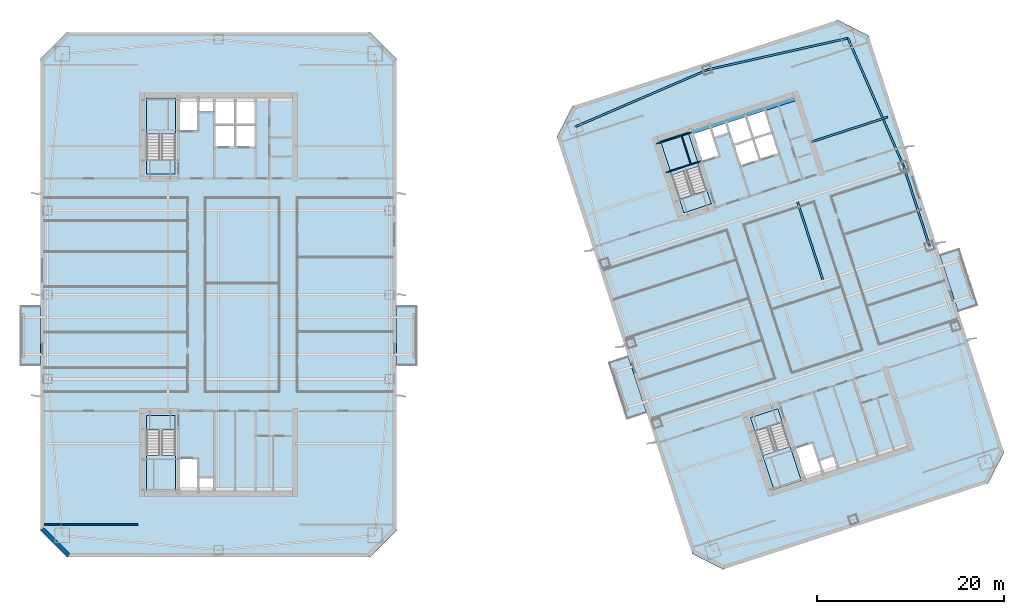
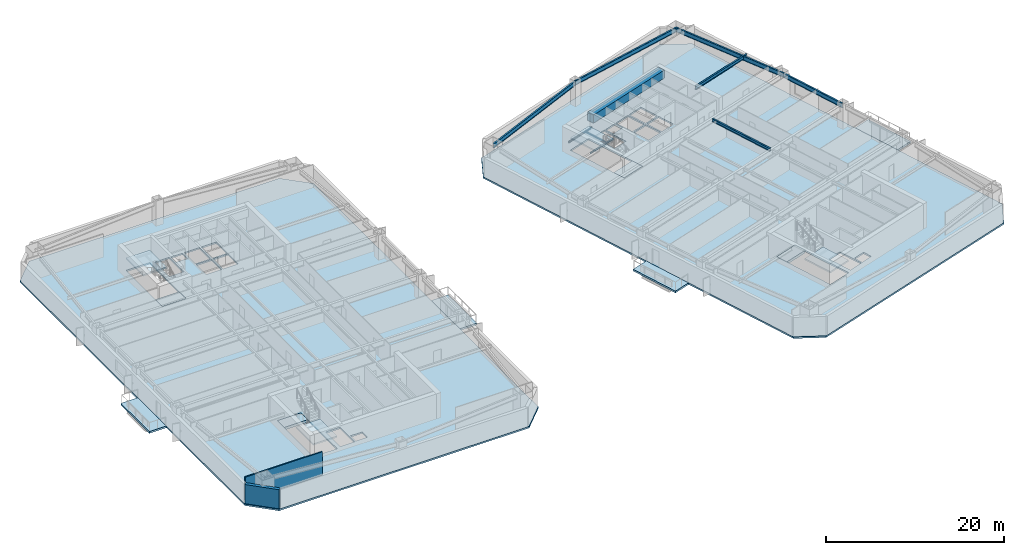
# One storey, part 3 of 16: 14 slabs, 10 beams, 2 walls, 4 elements without a shape of their own.
"""IFC4 building model written with IfcOpenShell, lengths in metres."""

from ifc_helpers import new_model, si_unit, direction, frame, frame_2d, origin, origin_2d, place, context, subcontext, project, spatial, polyline, rectangle, i_section, outline, extrude, material, layer, layer_set, material_profile, profile_set, type_object, element, aggregate, save


model = new_model("IFC4")

# Units and contexts
model_context = context("Model", 3, precision=1e-05, world=origin(), true_north=direction((0.0, 1.0)))
body_context = subcontext(model_context, "Body", "Model", "MODEL_VIEW")
ifc_project = project(units=[si_unit("LENGTHUNIT", "METRE"), si_unit("AREAUNIT", "SQUARE_METRE"), si_unit("VOLUMEUNIT", "CUBIC_METRE"), si_unit("PLANEANGLEUNIT", "RADIAN"), si_unit("MASSUNIT", "GRAM", prefix="KILO")], contexts=[model_context])

# Site, building, storey
site_placement = place(None, origin())
site = spatial("IfcSite", under=ifc_project, at=site_placement, CompositionType="ELEMENT")
building_placement = place(site_placement, origin())
building = spatial("IfcBuilding", under=site, at=building_placement, Name="Qiaolan Cultural Towers", CompositionType="ELEMENT")
storey_placement = place(building_placement, frame((0.0, 0.0, 110.39990234375)))
storey = spatial("IfcBuildingStorey", under=building, at=storey_placement, Name="L28", CompositionType="ELEMENT", Elevation=110.39990234375)

# Beams
ifc_material_1 = material(Name="Steel Q355B", Category="steel")
ifc_material_profile_1 = material_profile(ifc_material_1, i_section(OverallWidth=0.199951171875, OverallDepth=0.39990234375, WebThickness=0.008056640625, FlangeThickness=0.012939453125, at=origin_2d()), Name="HN400x200x8x13")
ifc_profile_set_1 = profile_set([ifc_material_profile_1], Name="Steel Q355B")
beam_type_1 = type_object("IfcBeamType", Name="BM-JST-HN400x200x8x13", PredefinedType="JOIST", material=ifc_profile_set_1)
beam_1_placement = place(storey_placement, frame((94.518798828125, 35.6259765625, 2.989990234375), z_axis=(-0.309020714809, 0.951055307445, 0.0), x_axis=(-0.951055307445, -0.309020714809, 0.0)))
element("IfcBeam", 1, at=beam_1_placement, inside=storey, type_object=beam_type_1, Name="L28 T2 Secondary Floor Joist U3-3", PredefinedType="JOIST", context=body_context, shape_type="SweptSolid", body=[
    extrude(i_section(OverallWidth=0.199951171875, OverallDepth=0.39990234375, WebThickness=0.008056640625, FlangeThickness=0.012939453125, at=origin_2d()), origin(), (0.0, 0.0, 1.0), 8.699951171875),
])
ifc_material_2 = material(Name="Steel Q355B", Category="steel")
ifc_material_profile_2 = material_profile(ifc_material_2, i_section(OverallWidth=0.199951171875, OverallDepth=0.449951171875, WebThickness=0.009033203125, FlangeThickness=0.013916015625, at=origin_2d()), Name="HN450x200x9x14")
ifc_profile_set_2 = profile_set([ifc_material_profile_2], Name="Steel Q355B")
beam_type_2 = type_object("IfcBeamType", Name="BM-LNT-HN450x200x9x14", PredefinedType="LINTEL", material=ifc_profile_set_2)
beam_2_placement = place(storey_placement, frame((93.31787109375, 50.32421875, 2.965087890625), z_axis=(0.951057358187, 0.309014403287, 0.0), x_axis=(-0.309014403287, 0.951057358187, 0.0)))
element("IfcBeam", 2, at=beam_2_placement, inside=storey, type_object=beam_type_2, Name="L28 T2 Core Flank Tie Lintel EN", PredefinedType="LINTEL", context=body_context, shape_type="SweptSolid", body=[
    extrude(i_section(OverallWidth=0.199951171875, OverallDepth=0.449951171875, WebThickness=0.009033203125, FlangeThickness=0.013916015625, at=origin_2d()), origin(), (0.0, 0.0, 1.0), 8.550048828125),
])
ifc_material_3 = material(Name="Concrete C50", Category="concrete")
ifc_material_profile_3 = material_profile(ifc_material_3, rectangle(XDim=0.89990234375, YDim=1.10009765625, at=origin_2d()), Name="RC900x1100")
ifc_profile_set_3 = profile_set([ifc_material_profile_3], Name="Concrete C50")
beam_type_3 = type_object("IfcBeamType", Name="BM-RC900x1100", PredefinedType="BEAM", material=ifc_profile_set_3)
beam_3_placement = place(storey_placement, frame((80.427978515625, 51.551025390625, 2.64013671875), z_axis=(0.951056266386, 0.309017763514, 0.0), x_axis=(-0.309017763514, 0.951056266386, 0.0)))
element("IfcBeam", 3, at=beam_3_placement, inside=storey, type_object=beam_type_3, Name="L28 T2 Core Header Girder N", PredefinedType="BEAM", context=body_context, shape_type="SweptSolid", body=[
    extrude(rectangle(XDim=0.89990234375, YDim=1.10009765625, at=origin_2d()), origin(), (0.0, 0.0, 1.0), 11.880126953125),
])
ifc_material_4 = material(Name="Steel Q355B", Category="steel")
ifc_material_profile_4 = material_profile(ifc_material_4, i_section(OverallWidth=0.199951171875, OverallDepth=0.60009765625, WebThickness=0.010986328125, FlangeThickness=0.01708984375, at=origin_2d()), Name="HN600x200x11x17")
ifc_profile_set_4 = profile_set([ifc_material_profile_4], Name="Steel Q355B")
beam_type_4 = type_object("IfcBeamType", Name="BM-SPD-HN600x200x11x17", PredefinedType="SPANDREL", material=ifc_profile_set_4)
beam_4_placement = place(storey_placement, frame((105.93017578125, 39.176025390625, 2.89013671875), z_axis=(-0.309024734286, 0.951054001411, 0.0), x_axis=(-0.951054001411, -0.309024734286, 0.0)))
element("IfcBeam", 4, at=beam_4_placement, inside=storey, type_object=beam_type_4, Name="L28 T2 Perimeter Spandrel Beam 5", PredefinedType="SPANDREL", context=body_context, shape_type="SweptSolid", body=[
    extrude(i_section(OverallWidth=0.199951171875, OverallDepth=0.60009765625, WebThickness=0.010986328125, FlangeThickness=0.01708984375, at=origin_2d()), origin(), (0.0, 0.0, 1.0), 9.0),
])
beam_5_placement = place(storey_placement, frame((103.14892578125, 47.735595703125, 2.89013671875), z_axis=(-0.398920370799, 0.916985571185, 0.0), x_axis=(-0.916985571185, -0.398920370799, 0.0)))
element("IfcBeam", 5, at=beam_5_placement, inside=storey, type_object=beam_type_4, Name="L28 T2 Perimeter Spandrel Beam 6", PredefinedType="SPANDREL", context=body_context, shape_type="SweptSolid", body=[
    extrude(i_section(OverallWidth=0.199951171875, OverallDepth=0.60009765625, WebThickness=0.010986328125, FlangeThickness=0.01708984375, at=origin_2d()), origin(), (0.0, 0.0, 1.0), 14.888916015625),
])
beam_6_placement = place(storey_placement, frame((97.20947265625, 61.388427734375, 2.89013671875), z_axis=(-0.975658154374, -0.219296980836, 0.0), x_axis=(0.219296980836, -0.975658154374, 0.0)))
element("IfcBeam", 6, at=beam_6_placement, inside=storey, type_object=beam_type_4, Name="L28 T2 Perimeter Spandrel Beam 7", PredefinedType="SPANDREL", context=body_context, shape_type="SweptSolid", body=[
    extrude(i_section(OverallWidth=0.199951171875, OverallDepth=0.60009765625, WebThickness=0.010986328125, FlangeThickness=0.01708984375, at=origin_2d()), origin(), (0.0, 0.0, 1.0), 15.38671875),
])
beam_7_placement = place(storey_placement, frame((82.197265625, 58.01416015625, 2.89013671875), z_axis=(-0.918217549337, -0.396076422032, 0.0), x_axis=(0.396076422032, -0.918217549337, 0.0)))
element("IfcBeam", 7, at=beam_7_placement, inside=storey, type_object=beam_type_4, Name="L28 T2 Perimeter Spandrel Beam 8", PredefinedType="SPANDREL", context=body_context, shape_type="SweptSolid", body=[
    extrude(i_section(OverallWidth=0.199951171875, OverallDepth=0.60009765625, WebThickness=0.010986328125, FlangeThickness=0.01708984375, at=origin_2d()), origin(), (0.0, 0.0, 1.0), 15.386474609375),
])
ifc_material_5 = material(Name="Steel Q355B", Category="steel")
ifc_material_profile_5 = material_profile(ifc_material_5, i_section(OverallWidth=0.10009765625, OverallDepth=0.199951171875, WebThickness=0.005615234375, FlangeThickness=0.008056640625, at=origin_2d()), Name="HN200x100x5.5x8")
ifc_profile_set_5 = profile_set([ifc_material_profile_5], Name="Steel Q355B")
beam_type_5 = type_object("IfcBeamType", Name="BM-STTRIM-200", PredefinedType="BEAM", material=ifc_profile_set_5)
for number, where, z_axis, x_axis, name in (
    (8, (77.769287109375, 47.0478515625, 1.425048828125), (0.951053746643, 0.309025518358, 0.0), (-0.309025518358, 0.951053746643, 0.0), "L28 ST-E2 Stair Landing Support Beam 1-1"),
    (9, (76.770751953125, 50.12109375, 1.425048828125), (0.951072048947, 0.3089691857, 0.0), (-0.3089691857, 0.951072048947, 0.0), "L28 ST-E2 Stair Landing Support Beam 1-2"),
):
    element("IfcBeam", number, at=place(storey_placement, frame(where, z_axis=z_axis, x_axis=x_axis)), inside=storey, type_object=beam_type_5, Name=name, PredefinedType="BEAM", context=body_context, shape_type="SweptSolid", body=[
        extrude(i_section(OverallWidth=0.10009765625, OverallDepth=0.199951171875, WebThickness=0.005615234375, FlangeThickness=0.008056640625, at=origin_2d()), origin(), (0.0, 0.0, 1.0), 3.920166015625),
    ])
beam_8_placement = place(storey_placement, frame((80.44189453125, 47.916259765625, 1.425048828125), z_axis=(-0.309033108495, 0.951051280349, 0.0), x_axis=(-0.951051280349, -0.309033108495, 0.0)))
element("IfcBeam", 10, at=beam_8_placement, inside=storey, type_object=beam_type_5, Name="L28 ST-E2 Stair Landing Trimmer 1", PredefinedType="BEAM", context=body_context, shape_type="SweptSolid", body=[
    extrude(i_section(OverallWidth=0.10009765625, OverallDepth=0.199951171875, WebThickness=0.005615234375, FlangeThickness=0.008056640625, at=origin_2d()), origin(), (0.0, 0.0, 1.0), 3.231201171875),
])

# Slabs
ifc_material_6 = material(Name="Concrete C45", Category="concrete")
ifc_layer_1 = layer(ifc_material_6, 0.239990234375)
ifc_layer_set_1 = layer_set([ifc_layer_1], Name="Concrete C45")
slab_type_1 = type_object("IfcSlabType", Name="SL-BAL-240", PredefinedType="FLOOR", material=ifc_layer_set_1)
slab_1_placement = place(storey_placement, frame((0.0, 0.0, -0.239990234375)))
element("IfcSlab", 11, at=slab_1_placement, inside=storey, type_object=slab_type_1, Name="L28 T1 Planted Tree Balcony W", PredefinedType="FLOOR", context=body_context, shape_type="SweptSolid", body=[
    extrude(outline(polyline([(8.800048828125, 26.39990234375), (11.0, 26.39990234375), (11.0, 32.800048828125), (8.800048828125, 32.800048828125), (8.800048828125, 26.39990234375)])), origin(), (0.0, 0.0, 1.0), 0.239990234375),
])
slab_2_placement = place(storey_placement, frame((0.0, 0.0, -0.239990234375)))
element("IfcSlab", 12, at=slab_2_placement, inside=storey, type_object=slab_type_1, Name="L28 T1 Planted Tree Balcony E", PredefinedType="FLOOR", context=body_context, shape_type="SweptSolid", body=[
    extrude(outline(polyline([(49.0, 26.39990234375), (51.199951171875, 26.39990234375), (51.199951171875, 32.800048828125), (49.0, 32.800048828125), (49.0, 26.39990234375)])), origin(), (0.0, 0.0, 1.0), 0.239990234375),
])
slab_3_placement = place(storey_placement, frame((0.0, 0.0, -0.239990234375)))
element("IfcSlab", 13, at=slab_3_placement, inside=storey, type_object=slab_type_1, Name="L28 T2 Planted Tree Balcony W", PredefinedType="FLOOR", context=body_context, shape_type="SweptSolid", body=[
    extrude(outline(polyline([(73.61279296875, 20.684326171875), (75.705078125, 21.3642578125), (73.727294921875, 27.450927734375), (71.635009765625, 26.77099609375), (73.61279296875, 20.684326171875)])), origin(), (0.0, 0.0, 1.0), 0.239990234375),
])
slab_4_placement = place(storey_placement, frame((0.0, 0.0, -0.239990234375)))
element("IfcSlab", 14, at=slab_4_placement, inside=storey, type_object=slab_type_1, Name="L28 T2 Planted Tree Balcony E", PredefinedType="FLOOR", context=body_context, shape_type="SweptSolid", body=[
    extrude(outline(polyline([(108.991943359375, 32.1796875), (111.084228515625, 32.859619140625), (109.106689453125, 38.9462890625), (107.014404296875, 38.2666015625), (108.991943359375, 32.1796875)])), origin(), (0.0, 0.0, 1.0), 0.239990234375),
])

# Stair, slab
ifc_material_7 = material(Name="Concrete C45", Category="concrete")
stair_type = type_object("IfcStairType", Name="STR-CORE-1500", PredefinedType="HALF_TURN_STAIR", material=ifc_material_7)
stair_1_placement = place(storey_placement, origin())
stair_1 = element("IfcStair", 15, at=stair_1_placement, inside=storey, type_object=stair_type, Name="L28 Smokeproof Exit Stair ST-W1", PredefinedType="HALF_TURN_STAIR")
ifc_material_8 = material(Name="Concrete C45", Category="concrete")
ifc_layer_2 = layer(ifc_material_8, 0.199951171875)
ifc_layer_set_2 = layer_set([ifc_layer_2], Name="Concrete C45")
slab_type_2 = type_object("IfcSlabType", Name="SL-STAIR-LAND", PredefinedType="LANDING", material=ifc_layer_set_2)
slab_5_placement = place(storey_placement, frame((0.0, 0.0, 1.525146484375)))
slab_5 = element("IfcSlab", 16, at=slab_5_placement, type_object=slab_type_2, Name="ST-W1 landing 1", PredefinedType="LANDING", context=body_context, shape_type="SweptSolid", body=[
    extrude(outline(polyline([(22.300048828125, 16.851318359375), (22.300048828125, 13.0), (25.3798828125, 13.0), (25.3798828125, 16.851318359375), (22.300048828125, 16.851318359375)])), origin(), (0.0, 0.0, 1.0), 0.199951171875),
])
aggregate(stair_1, [slab_5])

stair_2_placement = place(storey_placement, origin())
stair_2 = element("IfcStair", 17, at=stair_2_placement, inside=storey, type_object=stair_type, Name="L28 Smokeproof Exit Stair ST-W2", PredefinedType="HALF_TURN_STAIR")
slab_6_placement = place(storey_placement, frame((0.0, 0.0, 1.525146484375)))
slab_6 = element("IfcSlab", 18, at=slab_6_placement, type_object=slab_type_2, Name="ST-W2 landing 1", PredefinedType="LANDING", context=body_context, shape_type="SweptSolid", body=[
    extrude(outline(polyline([(25.3798828125, 51.148681640625), (25.3798828125, 55.0), (22.300048828125, 55.0), (22.300048828125, 51.148681640625), (25.3798828125, 51.148681640625)])), origin(), (0.0, 0.0, 1.0), 0.199951171875),
])
aggregate(stair_2, [slab_6])

stair_3_placement = place(storey_placement, origin())
stair_3 = element("IfcStair", 19, at=stair_3_placement, inside=storey, type_object=stair_type, Name="L28 Smokeproof Exit Stair ST-E1", PredefinedType="HALF_TURN_STAIR")
slab_7_placement = place(storey_placement, frame((0.0, 0.0, 1.525146484375)))
slab_7 = element("IfcSlab", 20, at=slab_7_placement, type_object=slab_type_2, Name="ST-E1 landing 1", PredefinedType="LANDING", context=body_context, shape_type="SweptSolid", body=[
    extrude(outline(polyline([(88.114013671875, 16.828125), (89.30419921875, 13.165283203125), (92.2333984375, 14.116943359375), (91.04345703125, 17.77978515625), (88.114013671875, 16.828125)])), origin(), (0.0, 0.0, 1.0), 0.199951171875),
])
aggregate(stair_3, [slab_7])

stair_4_placement = place(storey_placement, origin())
stair_4 = element("IfcStair", 21, at=stair_4_placement, inside=storey, type_object=stair_type, Name="L28 Smokeproof Exit Stair ST-E2", PredefinedType="HALF_TURN_STAIR")
slab_8_placement = place(storey_placement, frame((0.0, 0.0, 1.525146484375)))
slab_8 = element("IfcSlab", 22, at=slab_8_placement, type_object=slab_type_2, Name="ST-E2 landing 1", PredefinedType="LANDING", context=body_context, shape_type="SweptSolid", body=[
    extrude(outline(polyline([(81.31005859375, 47.735595703125), (80.1201171875, 51.3984375), (77.190673828125, 50.44677734375), (78.380859375, 46.783935546875), (81.31005859375, 47.735595703125)])), origin(), (0.0, 0.0, 1.0), 0.199951171875),
])
aggregate(stair_4, [slab_8])

# Slabs
ifc_material_9 = material(Name="Concrete C40", Category="concrete")
ifc_layer_3 = layer(ifc_material_9, 0.360107421875)
ifc_layer_set_3 = layer_set([ifc_layer_3], Name="Concrete C40")
slab_type_3 = type_object("IfcSlabType", Name="SL-STFLR-360", PredefinedType="LANDING", material=ifc_layer_set_3)
slab_9_placement = place(storey_placement, frame((0.0, 0.0, -0.35986328125)))
element("IfcSlab", 23, at=slab_9_placement, inside=storey, type_object=slab_type_3, Name="L28 ST-W1 Stair Floor Landing Slab", PredefinedType="LANDING", context=body_context, shape_type="SweptSolid", body=[
    extrude(outline(polyline([(22.302001953125, 21.097900390625), (22.302001953125, 19.548583984375), (25.3779296875, 19.548583984375), (25.3779296875, 21.097900390625), (22.302001953125, 21.097900390625)])), origin(), (0.0, 0.0, 1.0), 0.35986328125),
])
slab_10_placement = place(storey_placement, frame((0.0, 0.0, -0.35986328125)))
element("IfcSlab", 24, at=slab_10_placement, inside=storey, type_object=slab_type_3, Name="L28 ST-W2 Stair Floor Landing Slab", PredefinedType="LANDING", context=body_context, shape_type="SweptSolid", body=[
    extrude(outline(polyline([(25.3779296875, 46.902099609375), (25.3779296875, 48.451416015625), (22.302001953125, 48.451416015625), (22.302001953125, 46.902099609375), (25.3779296875, 46.902099609375)])), origin(), (0.0, 0.0, 1.0), 0.35986328125),
])
slab_11_placement = place(storey_placement, frame((0.0, 0.0, -0.35986328125)))
element("IfcSlab", 25, at=slab_11_placement, inside=storey, type_object=slab_type_3, Name="L28 ST-E1 Stair Floor Landing Slab", PredefinedType="LANDING", context=body_context, shape_type="SweptSolid", body=[
    extrude(outline(polyline([(86.8037109375, 20.867431640625), (87.282470703125, 19.39404296875), (90.2080078125, 20.3447265625), (89.729248046875, 21.818115234375), (86.8037109375, 20.867431640625)])), origin(), (0.0, 0.0, 1.0), 0.35986328125),
])
slab_12_placement = place(storey_placement, frame((0.0, 0.0, -0.35986328125)))
element("IfcSlab", 26, at=slab_12_placement, inside=storey, type_object=slab_type_3, Name="L28 ST-E2 Stair Floor Landing Slab", PredefinedType="LANDING", context=body_context, shape_type="SweptSolid", body=[
    extrude(outline(polyline([(82.62060546875, 43.6962890625), (82.141845703125, 45.169677734375), (79.21630859375, 44.21923828125), (79.695068359375, 42.74560546875), (82.62060546875, 43.6962890625)])), origin(), (0.0, 0.0, 1.0), 0.35986328125),
])
ifc_material_10 = material(Name="Concrete C45", Category="concrete")
ifc_layer_4 = layer(ifc_material_10, 0.219970703125)
ifc_layer_set_4 = layer_set([ifc_layer_4], Name="Concrete C45")
slab_type_4 = type_object("IfcSlabType", Name="SL-TYP-220", PredefinedType="FLOOR", material=ifc_layer_set_4)
slab_13_placement = place(storey_placement, frame((0.0, 0.0, -0.219970703125)))
element("IfcSlab", 27, at=slab_13_placement, inside=storey, type_object=slab_type_4, Name="L28 West Tower Floor Slab", PredefinedType="FLOOR", context=body_context, shape_type="SweptSolid", body=[
    extrude(outline(polyline([(13.800048828125, 6.0), (46.199951171875, 6.0), (49.0, 8.800048828125), (49.0, 59.199951171875), (46.199951171875, 62.0), (13.800048828125, 62.0), (11.0, 59.199951171875), (11.0, 8.800048828125), (13.800048828125, 6.0)]), holes=[polyline([(22.300048828125, 21.10009765625), (22.300048828125, 13.0), (25.3798828125, 13.0), (25.3798828125, 21.10009765625), (22.300048828125, 21.10009765625)]), polyline([(25.3798828125, 46.89990234375), (25.3798828125, 55.0), (22.300048828125, 55.0), (22.300048828125, 46.89990234375), (25.3798828125, 46.89990234375)]), polyline([(25.89990234375, 13.199951171875), (27.75, 13.199951171875), (27.75, 16.449951171875), (25.89990234375, 16.449951171875), (25.89990234375, 13.199951171875)]), polyline([(27.93994140625, 13.25), (29.449951171875, 13.25), (29.449951171875, 14.419921875), (27.93994140625, 14.419921875), (27.93994140625, 13.25)]), polyline([(25.89990234375, 51.550048828125), (27.75, 51.550048828125), (27.75, 54.800048828125), (25.89990234375, 54.800048828125), (25.89990234375, 51.550048828125)]), polyline([(27.93994140625, 53.580078125), (29.449951171875, 53.580078125), (29.449951171875, 54.75), (27.93994140625, 54.75), (27.93994140625, 53.580078125)]), polyline([(29.679931640625, 49.820068359375), (31.679931640625, 49.820068359375), (31.679931640625, 52.080078125), (29.679931640625, 52.080078125), (29.679931640625, 49.820068359375)]), polyline([(31.8798828125, 49.820068359375), (33.820068359375, 49.820068359375), (33.820068359375, 52.080078125), (31.8798828125, 52.080078125), (31.8798828125, 49.820068359375)]), polyline([(29.679931640625, 52.27001953125), (31.659912109375, 52.27001953125), (31.659912109375, 54.75), (29.679931640625, 54.75), (29.679931640625, 52.27001953125)]), polyline([(31.8798828125, 52.27001953125), (33.820068359375, 52.27001953125), (33.820068359375, 54.75), (31.8798828125, 54.75), (31.8798828125, 52.27001953125)])]), origin(), (0.0, 0.0, 1.0), 0.219970703125),
])
slab_14_placement = place(storey_placement, frame((0.0, 0.0, -0.219970703125)))
element("IfcSlab", 28, at=slab_14_placement, inside=storey, type_object=slab_type_4, Name="L28 East Tower Floor Slab", PredefinedType="FLOOR", context=body_context, shape_type="SweptSolid", body=[
    extrude(outline(polyline([(83.86376953125, 4.668212890625), (112.205078125, 13.876953125), (113.87451171875, 17.153076171875), (99.41259765625, 61.66259765625), (96.13623046875, 63.331787109375), (67.794921875, 54.123046875), (66.12548828125, 50.846923828125), (80.58740234375, 6.33740234375), (83.86376953125, 4.668212890625)]), holes=[polyline([(86.80126953125, 20.868896484375), (89.30419921875, 13.165283203125), (92.2333984375, 14.116943359375), (89.73046875, 21.820556640625), (86.80126953125, 20.868896484375)]), polyline([(82.623046875, 43.69482421875), (80.1201171875, 51.3984375), (77.190673828125, 50.44677734375), (79.69384765625, 42.7431640625), (82.623046875, 43.69482421875)]), polyline([(92.666259765625, 14.468017578125), (94.42578125, 15.03955078125), (93.42138671875, 18.130615234375), (91.661865234375, 17.558837890625), (92.666259765625, 14.468017578125)]), polyline([(94.5908203125, 15.14599609375), (96.027099609375, 15.612548828125), (95.66552734375, 16.725341796875), (94.2294921875, 16.258544921875), (94.5908203125, 15.14599609375)]), polyline([(81.6806640625, 48.278076171875), (83.440185546875, 48.849609375), (82.435791015625, 51.940673828125), (80.67626953125, 51.368896484375), (81.6806640625, 48.278076171875)]), polyline([(82.993408203125, 50.839111328125), (84.4296875, 51.3056640625), (84.068115234375, 52.41845703125), (82.632080078125, 51.95166015625), (82.993408203125, 50.839111328125)]), polyline([(85.810302734375, 47.80078125), (87.71240234375, 48.418701171875), (87.013916015625, 50.568115234375), (85.11181640625, 49.9501953125), (85.810302734375, 47.80078125)]), polyline([(87.902587890625, 48.480712890625), (89.74755859375, 49.080078125), (89.04931640625, 51.2294921875), (87.2041015625, 50.6298828125), (87.902587890625, 48.480712890625)]), polyline([(85.05322265625, 50.130859375), (86.936279296875, 50.74267578125), (86.169921875, 53.101318359375), (84.286865234375, 52.489501953125), (85.05322265625, 50.130859375)]), polyline([(87.1455078125, 50.810791015625), (88.990478515625, 51.41015625), (88.22412109375, 53.768798828125), (86.379150390625, 53.169189453125), (87.1455078125, 50.810791015625)])]), origin(), (0.0, 0.0, 1.0), 0.219970703125),
])

# Walls
ifc_material_11 = material(Name="Precast Concrete C50 Honed Stone Pier", Category="masonry")
ifc_layer_5 = layer(ifc_material_11, 0.39990234375)
ifc_layer_set_5 = layer_set([ifc_layer_5], Name="Precast Concrete C50 Honed Stone Pier")
wall_type_1 = type_object("IfcWallType", Name="WL-EXT-PIER-400", PredefinedType="SOLIDWALL", material=ifc_layer_set_5)
wall_1_placement = place(storey_placement, frame((14.0, 6.199951171875, 0.0), z_axis=(0.0, 0.0, 1.0), x_axis=(-0.707106781187, 0.707106781187, 0.0)))
element("IfcWall", 29, at=wall_1_placement, inside=storey, type_object=wall_type_1, Name="L28 West Tower Precast Pier Facade Wall F8", PredefinedType="SOLIDWALL", context=body_context, shape_type="SweptSolid", body=[
    extrude(rectangle(XDim=3.9599609375, YDim=0.39990234375, at=frame_2d((1.97998046875, 0.0))), origin(), (0.0, 0.0, 1.0), 2.610107421875),
])
ifc_material_12 = material(Name="Autoclaved Aerated Concrete Block B06", Category="concrete")
ifc_layer_6 = layer(ifc_material_12, 0.14990234375)
ifc_layer_set_6 = layer_set([ifc_layer_6], Name="Autoclaved Aerated Concrete Block B06")
wall_type_2 = type_object("IfcWallType", Name="WL-PART-150", PredefinedType="PARTITIONING", material=ifc_layer_set_6)
wall_2_placement = place(storey_placement, frame((11.39990234375, 9.449951171875, 0.0), z_axis=(0.0, 0.0, 1.0), x_axis=(1.0, 0.0, 0.0)))
element("IfcWall", 30, at=wall_2_placement, inside=storey, type_object=wall_type_2, Name="L28 T1 Flank Wall FLK-SW", PredefinedType="PARTITIONING", context=body_context, shape_type="SweptSolid", body=[
    extrude(rectangle(XDim=10.0, YDim=0.14990234375, at=frame_2d((5.0, 0.0))), origin(), (0.0, 0.0, 1.0), 3.175048828125),
])

save(model, "model.ifc")
